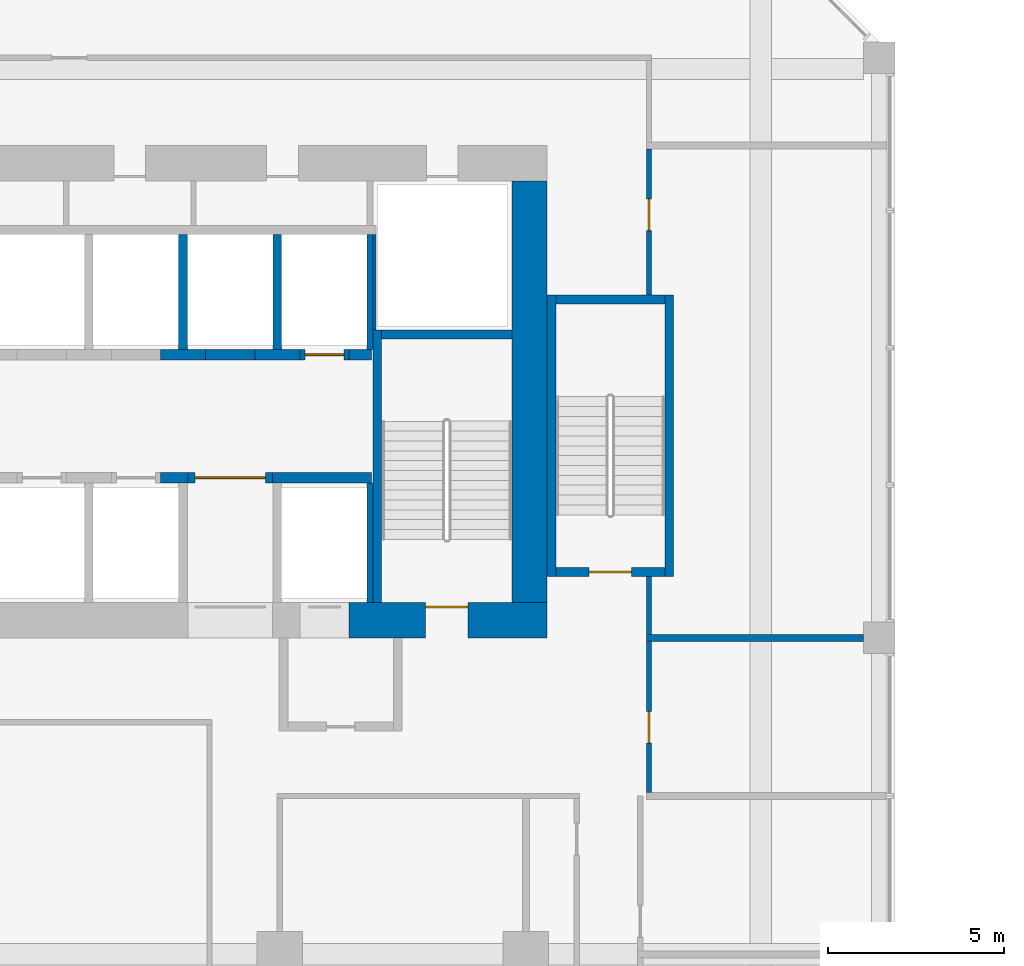
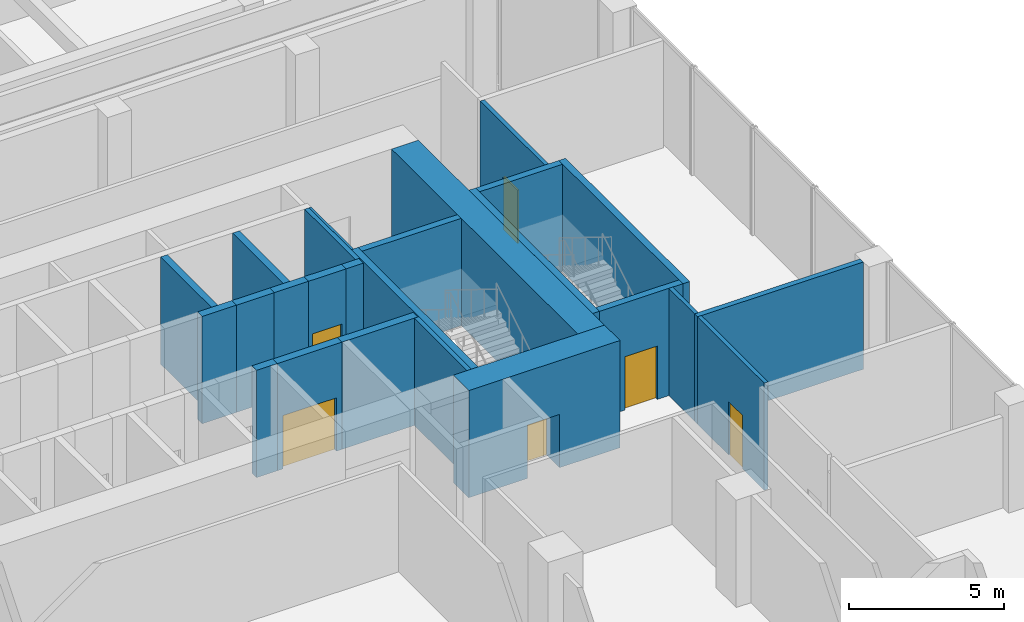
# One storey, part 19 of 35: 25 walls, 6 doors, 6 openings.
"""IFC4 building model written with IfcOpenShell, lengths in metres."""

from ifc_helpers import new_model, si_unit, direction, frame, frame_2d, origin, place, context, subcontext, project, spatial, rectangle, extrude, source, transform, mapped, material, layer, layer_set, type_object, element, fill, save


model = new_model("IFC4")

# Units and contexts
model_context = context("Model", 3, precision=1e-05, world=origin(), true_north=direction((0.0, 1.0)))
body_context = subcontext(model_context, "Body", "Model", "MODEL_VIEW")
ifc_project = project(units=[si_unit("LENGTHUNIT", "METRE"), si_unit("AREAUNIT", "SQUARE_METRE"), si_unit("VOLUMEUNIT", "CUBIC_METRE"), si_unit("PLANEANGLEUNIT", "RADIAN"), si_unit("MASSUNIT", "GRAM", prefix="KILO")], contexts=[model_context])

# Site, building, storey
site_placement = place(None, origin())
site = spatial("IfcSite", under=ifc_project, at=site_placement, CompositionType="ELEMENT")
building_placement = place(site_placement, origin())
building = spatial("IfcBuilding", under=site, at=building_placement, Name="Kilnfold Tower and Market Hall", CompositionType="ELEMENT")
storey_placement = place(building_placement, frame((0.0, 0.0, 22.5)))
storey = spatial("IfcBuildingStorey", under=building, at=storey_placement, Name="L04", CompositionType="ELEMENT", Elevation=22.5)

# Wall, opening, door
ifc_material_1 = material(Name="Gypsum board on steel studs", Category="steel")
ifc_layer_1 = layer(ifc_material_1, 0.14990234375)
ifc_layer_set_1 = layer_set([ifc_layer_1], Name="Gypsum board on steel studs")
wall_type_1 = type_object("IfcWallType", Name="WALL CORRIDOR 150", PredefinedType="PARTITIONING", material=ifc_layer_set_1)
wall_1_placement = place(storey_placement, frame((21.0, 3.60009765625, 0.0), z_axis=(0.0, 0.0, 1.0), x_axis=(0.0, 1.0, 0.0)))
wall_1 = element("IfcWall", 1, at=wall_1_placement, inside=storey, type_object=wall_type_1, Name="Partition LY05.25", PredefinedType="PARTITIONING", context=body_context, shape_type="SweptSolid", body=[
    extrude(rectangle(XDim=4.309814453125, YDim=0.14990234375, at=frame_2d((2.15478515625, 0.0))), origin(), (0.0, 0.0, 1.0), 4.219970703125),
])
opening_1_placement = place(wall_1_placement, frame((1.404052734375, 0.0, 0.0)))
opening_1 = element("IfcOpeningElement", 2, at=opening_1_placement, cuts=wall_1, Name="Opening D3", PredefinedType="OPENING", context=body_context, shape_type="SweptSolid", body=[
    extrude(rectangle(XDim=0.89990234375, YDim=2.10009765625, at=frame_2d((0.449951171875, 1.050048828125))), frame((0.0, 0.0849609375, 0.0), z_axis=(0.0, -1.0, 0.0), x_axis=(1.0, 0.0, 0.0)), (0.0, 0.0, 1.0), 0.169921875),
])
ifc_material_2 = material(Name="Timber veneer door leaf in steel frame", Category="steel")
door_type_1 = type_object("IfcDoorType", Name="DOOR WC 900 X2100", OperationType="NOTDEFINED", PredefinedType="DOOR", material=ifc_material_2)
door_1_placement = place(opening_1_placement, origin())
door_1 = element("IfcDoor", 3, at=door_1_placement, inside=storey, type_object=door_type_1, Name="Door D3", OperationType="SINGLE_SWING_LEFT", OverallHeight=2.10009765625, OverallWidth=0.89990234375, PredefinedType="DOOR", context=body_context, shape_type="SweptSolid", body=[
    extrude(rectangle(XDim=0.89990234375, YDim=2.10009765625, at=frame_2d((0.449951171875, 1.050048828125))), frame((0.0, 0.02490234375, 0.0), z_axis=(0.0, -1.0, 0.0), x_axis=(1.0, 0.0, 0.0)), (0.0, 0.0, 1.0), 0.050048828125),
])
fill(opening_1, door_1)

wall_2_placement = place(storey_placement, frame((21.0, 17.75, 0.0), z_axis=(0.0, 0.0, 1.0), x_axis=(0.0, 1.0, 0.0)))
wall_2 = element("IfcWall", 4, at=wall_2_placement, inside=storey, type_object=wall_type_1, Name="Partition LY05.26", PredefinedType="PARTITIONING", context=body_context, shape_type="SweptSolid", body=[
    extrude(rectangle(XDim=4.159912109375, YDim=0.14990234375, at=frame_2d((2.080078125, 0.0))), origin(), (0.0, 0.0, 1.0), 4.219970703125),
])
opening_2_placement = place(wall_2_placement, frame((1.833984375, 0.0, 0.0)))
opening_2 = element("IfcOpeningElement", 5, at=opening_2_placement, cuts=wall_2, Name="Opening D2", PredefinedType="OPENING", context=body_context, shape_type="SweptSolid", body=[
    extrude(rectangle(XDim=0.89990234375, YDim=2.10009765625, at=frame_2d((0.449951171875, 1.050048828125))), frame((0.0, 0.0849609375, 0.0), z_axis=(0.0, -1.0, 0.0), x_axis=(1.0, 0.0, 0.0)), (0.0, 0.0, 1.0), 0.169921875),
])
ifc_material_3 = material(Name="Timber veneer door leaf in steel frame", Category="steel")
door_type_2 = type_object("IfcDoorType", Name="DOOR ROOM 900 X2100", OperationType="NOTDEFINED", PredefinedType="DOOR", material=ifc_material_3)
door_2_placement = place(opening_2_placement, origin())
door_2 = element("IfcDoor", 6, at=door_2_placement, inside=storey, type_object=door_type_2, Name="Door D2", OperationType="SINGLE_SWING_LEFT", OverallHeight=2.10009765625, OverallWidth=0.89990234375, PredefinedType="DOOR", context=body_context, shape_type="SweptSolid", body=[
    extrude(rectangle(XDim=0.89990234375, YDim=2.10009765625, at=frame_2d((0.449951171875, 1.050048828125))), frame((0.0, 0.02490234375, 0.0), z_axis=(0.0, -1.0, 0.0), x_axis=(1.0, 0.0, 0.0)), (0.0, 0.0, 1.0), 0.050048828125),
])
fill(opening_2, door_2)

# Walls
wall_3_placement = place(storey_placement, frame((21.0, 8.090087890625, 0.0), z_axis=(0.0, 0.0, 1.0), x_axis=(0.0, 1.0, 0.0)))
element("IfcWall", 7, at=wall_3_placement, inside=storey, type_object=wall_type_1, Name="Partition LY05.27", PredefinedType="PARTITIONING", context=body_context, shape_type="SweptSolid", body=[
    extrude(rectangle(XDim=1.659912109375, YDim=0.14990234375, at=frame_2d((0.830078125, 0.0))), origin(), (0.0, 0.0, 1.0), 4.219970703125),
])
ifc_material_4 = material(Name="Gypsum board on steel studs", Category="steel")
ifc_layer_2 = layer(ifc_material_4, 0.199951171875)
ifc_layer_set_2 = layer_set([ifc_layer_2], Name="Gypsum board on steel studs")
wall_type_2 = type_object("IfcWallType", Name="WALL PARTY 200", PredefinedType="PARTITIONING", material=ifc_layer_set_2)
wall_4_placement = place(storey_placement, frame((20.926025390625, 8.0, 0.0), z_axis=(0.0, 0.0, 1.0), x_axis=(1.0, 0.0, 0.0)))
element("IfcWall", 8, at=wall_4_placement, inside=storey, type_object=wall_type_2, Name="Partition LY05.56", PredefinedType="PARTITIONING", context=body_context, shape_type="SweptSolid", body=[
    extrude(rectangle(XDim=6.174072265625, YDim=0.199951171875, at=frame_2d((3.0869140625, 0.0))), origin(), (0.0, 0.0, 1.0), 4.219970703125),
])

# Wall, opening, door
ifc_material_5 = material(Name="Concrete C80", Category="concrete")
ifc_layer_3 = layer(ifc_material_5, 1.0)
ifc_layer_set_3 = layer_set([ifc_layer_3], Name="Concrete C80")
wall_type_3 = type_object("IfcWallType", Name="CORE WALL 1000 C80", PredefinedType="SHEAR", material=ifc_layer_set_3)
shared_shape_1 = source(origin(), body_context, "Body", "SweptSolid", [
    extrude(rectangle(XDim=5.630126953125, YDim=1.0, at=frame_2d((2.81494140625, 0.0))), origin(), (0.0, 0.0, 1.0), 4.219970703125),
])
wall_5_placement = place(storey_placement, frame((12.469970703125, 8.5, 0.0), z_axis=(0.0, 0.0, 1.0), x_axis=(1.0, 0.0, 0.0)))
wall_5 = element("IfcWall", 9, at=wall_5_placement, inside=storey, type_object=wall_type_3, Name="Core outer wall south", PredefinedType="SHEAR", context=body_context, shape_type="MappedRepresentation", body=[
    mapped(shared_shape_1, transform((0.0, 0.0, 0.0))),
])
opening_3_placement = place(wall_5_placement, frame((2.179931640625, 0.0, 0.0)))
opening_3 = element("IfcOpeningElement", 10, at=opening_3_placement, cuts=wall_5, Name="Opening SD1", PredefinedType="OPENING", context=body_context, shape_type="SweptSolid", body=[
    extrude(rectangle(XDim=1.199951171875, YDim=2.10009765625, at=frame_2d((0.60009765625, 1.050048828125))), frame((0.0, 0.510009765625, 0.0), z_axis=(0.0, -1.0, 0.0), x_axis=(1.0, 0.0, 0.0)), (0.0, 0.0, 1.0), 1.02001953125),
])
ifc_material_6 = material(Name="Steel door set with fire-resisting leaf", Category="steel")
door_type_3 = type_object("IfcDoorType", Name="STAIR FLOOR DOOR 1200X2100", OperationType="NOTDEFINED", PredefinedType="DOOR", material=ifc_material_6)
door_3_placement = place(opening_3_placement, origin())
door_3 = element("IfcDoor", 11, at=door_3_placement, inside=storey, type_object=door_type_3, Name="Exit stair ST2 door", OperationType="DOUBLE_DOOR_SINGLE_SWING", OverallHeight=2.10009765625, OverallWidth=1.199951171875, PredefinedType="DOOR", context=body_context, shape_type="SweptSolid", body=[
    extrude(rectangle(XDim=1.199951171875, YDim=2.10009765625, at=frame_2d((0.60009765625, 1.050048828125))), frame((0.0, 0.40478515625, 0.0), z_axis=(0.0, -1.0, 0.0), x_axis=(1.0, 0.0, 0.0)), (0.0, 0.0, 1.0), 0.050048828125),
])
fill(opening_3, door_3)

# Walls
shared_shape_2 = source(origin(), body_context, "Body", "SweptSolid", [
    extrude(rectangle(XDim=12.0, YDim=1.0, at=frame_2d((6.0, 0.0))), origin(), (0.0, 0.0, 1.0), 4.219970703125),
])
wall_6_placement = place(storey_placement, frame((17.60009765625, 9.0, 0.0), z_axis=(0.0, 0.0, 1.0), x_axis=(0.0, 1.0, 0.0)))
element("IfcWall", 12, at=wall_6_placement, inside=storey, type_object=wall_type_3, Name="Core outer wall east", PredefinedType="SHEAR", context=body_context, shape_type="MappedRepresentation", body=[
    mapped(shared_shape_2, transform((0.0, 0.0, 0.0))),
])
ifc_material_7 = material(Name="Concrete C80", Category="concrete")
ifc_layer_4 = layer(ifc_material_7, 0.25)
ifc_layer_set_4 = layer_set([ifc_layer_4], Name="Concrete C80")
wall_type_4 = type_object("IfcWallType", Name="CORE WALL 250 C80", PredefinedType="SHEAR", material=ifc_layer_set_4)
shared_shape_3 = source(origin(), body_context, "Body", "SweptSolid", [
    extrude(rectangle(XDim=7.75, YDim=0.25, at=frame_2d((3.875, 0.0))), origin(), (0.0, 0.0, 1.0), 4.219970703125),
])
wall_7_placement = place(storey_placement, frame((13.27490234375, 9.0, 0.0), z_axis=(0.0, 0.0, 1.0), x_axis=(0.0, 1.0, 0.0)))
element("IfcWall", 13, at=wall_7_placement, inside=storey, type_object=wall_type_4, Name="Stair enclosure ST2", PredefinedType="SHEAR", context=body_context, shape_type="MappedRepresentation", body=[
    mapped(shared_shape_3, transform((0.0, 0.0, 0.0))),
])
shared_shape_4 = source(origin(), body_context, "Body", "SweptSolid", [
    extrude(rectangle(XDim=3.7001953125, YDim=0.25, at=frame_2d((1.85009765625, 0.0))), origin(), (0.0, 0.0, 1.0), 4.219970703125),
])
wall_8_placement = place(storey_placement, frame((13.39990234375, 16.625, 0.0), z_axis=(0.0, 0.0, 1.0), x_axis=(1.0, 0.0, 0.0)))
element("IfcWall", 14, at=wall_8_placement, inside=storey, type_object=wall_type_4, Name="Stair enclosure ST2", PredefinedType="SHEAR", context=body_context, shape_type="MappedRepresentation", body=[
    mapped(shared_shape_4, transform((0.0, 0.0, 0.0))),
])
shared_shape_5 = source(origin(), body_context, "Body", "SweptSolid", [
    extrude(rectangle(XDim=8.0, YDim=0.25, at=frame_2d((4.0, 0.0))), origin(), (0.0, 0.0, 1.0), 4.219970703125),
])
for number, where, z_axis, x_axis, name in (
    (15, (18.22509765625, 9.75, 0.0), (0.0, 0.0, 1.0), (0.0, 1.0, 0.0), "Stair enclosure ST5"),
    (16, (21.574951171875, 9.75, 0.0), (0.0, 0.0, 1.0), (0.0, 1.0, 0.0), "Stair enclosure ST5"),
):
    element("IfcWall", number, at=place(storey_placement, frame(where, z_axis=z_axis, x_axis=x_axis)), inside=storey, type_object=wall_type_4, Name=name, PredefinedType="SHEAR", context=body_context, shape_type="MappedRepresentation", body=[
        mapped(shared_shape_5, transform((0.0, 0.0, 0.0))),
    ])

# Wall, opening, door
shared_shape_6 = source(origin(), body_context, "Body", "SweptSolid", [
    extrude(rectangle(XDim=3.099853515625, YDim=0.25, at=frame_2d((1.5498046875, 0.0))), origin(), (0.0, 0.0, 1.0), 4.219970703125),
])
wall_9_placement = place(storey_placement, frame((18.35009765625, 9.875, 0.0), z_axis=(0.0, 0.0, 1.0), x_axis=(1.0, 0.0, 0.0)))
wall_9 = element("IfcWall", 17, at=wall_9_placement, inside=storey, type_object=wall_type_4, Name="Stair enclosure ST5", PredefinedType="SHEAR", context=body_context, shape_type="MappedRepresentation", body=[
    mapped(shared_shape_6, transform((0.0, 0.0, 0.0))),
])
opening_4_placement = place(wall_9_placement, frame((0.949951171875, 0.0, 0.0)))
opening_4 = element("IfcOpeningElement", 18, at=opening_4_placement, cuts=wall_9, Name="Opening SD1", PredefinedType="OPENING", context=body_context, shape_type="SweptSolid", body=[
    extrude(rectangle(XDim=1.199951171875, YDim=2.10009765625, at=frame_2d((0.60009765625, 1.050048828125))), frame((0.0, 0.135009765625, 0.0), z_axis=(0.0, -1.0, 0.0), x_axis=(1.0, 0.0, 0.0)), (0.0, 0.0, 1.0), 0.27001953125),
])
door_4_placement = place(opening_4_placement, origin())
door_4 = element("IfcDoor", 19, at=door_4_placement, inside=storey, type_object=door_type_3, Name="Exit stair ST5 door", OperationType="DOUBLE_DOOR_SINGLE_SWING", OverallHeight=2.10009765625, OverallWidth=1.199951171875, PredefinedType="DOOR", context=body_context, shape_type="SweptSolid", body=[
    extrude(rectangle(XDim=1.199951171875, YDim=2.10009765625, at=frame_2d((0.60009765625, 1.050048828125))), frame((0.0, 0.02490234375, 0.0), z_axis=(0.0, -1.0, 0.0), x_axis=(1.0, 0.0, 0.0)), (0.0, 0.0, 1.0), 0.050048828125),
])
fill(opening_4, door_4)

# Walls
wall_10_placement = place(storey_placement, frame((18.35009765625, 17.625, 0.0), z_axis=(0.0, 0.0, 1.0), x_axis=(1.0, 0.0, 0.0)))
element("IfcWall", 20, at=wall_10_placement, inside=storey, type_object=wall_type_4, Name="Stair enclosure ST5", PredefinedType="SHEAR", context=body_context, shape_type="MappedRepresentation", body=[
    mapped(shared_shape_6, transform((0.0, 0.0, 0.0))),
])
ifc_material_8 = material(Name="Concrete C80", Category="concrete")
ifc_layer_5 = layer(ifc_material_8, 0.300048828125)
ifc_layer_set_5 = layer_set([ifc_layer_5], Name="Concrete C80")
wall_type_5 = type_object("IfcWallType", Name="CORE WALL 300 C80", PredefinedType="SHEAR", material=ifc_layer_set_5)
shared_shape_7 = source(origin(), body_context, "Body", "SweptSolid", [
    extrude(rectangle(XDim=1.280029296875, YDim=0.300048828125, at=frame_2d((0.64013671875, 0.0))), origin(), (0.0, 0.0, 1.0), 4.219970703125),
])
wall_11_placement = place(storey_placement, frame((9.7900390625, 16.050048828125, 0.0), z_axis=(0.0, 0.0, 1.0), x_axis=(1.0, 0.0, 0.0)))
element("IfcWall", 21, at=wall_11_placement, inside=storey, type_object=wall_type_5, Name="Core spine wall", PredefinedType="SHEAR", context=body_context, shape_type="MappedRepresentation", body=[
    mapped(shared_shape_7, transform((0.0, 0.0, 0.0))),
])
shared_shape_8 = source(origin(), body_context, "Body", "SweptSolid", [
    extrude(rectangle(XDim=0.77978515625, YDim=0.300048828125, at=frame_2d((0.389892578125, 0.0))), origin(), (0.0, 0.0, 1.0), 4.219970703125),
])
wall_12_placement = place(storey_placement, frame((7.110107421875, 12.550048828125, 0.0), z_axis=(0.0, 0.0, 1.0), x_axis=(1.0, 0.0, 0.0)))
element("IfcWall", 22, at=wall_12_placement, inside=storey, type_object=wall_type_5, Name="Core spine wall", PredefinedType="SHEAR", context=body_context, shape_type="MappedRepresentation", body=[
    mapped(shared_shape_8, transform((0.0, 0.0, 0.0))),
])
shared_shape_9 = source(origin(), body_context, "Body", "SweptSolid", [
    extrude(rectangle(XDim=2.820068359375, YDim=0.300048828125, at=frame_2d((1.41015625, 0.0))), origin(), (0.0, 0.0, 1.0), 4.219970703125),
])
wall_13_placement = place(storey_placement, frame((10.2900390625, 12.550048828125, 0.0), z_axis=(0.0, 0.0, 1.0), x_axis=(1.0, 0.0, 0.0)))
element("IfcWall", 23, at=wall_13_placement, inside=storey, type_object=wall_type_5, Name="Core spine wall", PredefinedType="SHEAR", context=body_context, shape_type="MappedRepresentation", body=[
    mapped(shared_shape_9, transform((0.0, 0.0, 0.0))),
])
shared_shape_10 = source(origin(), body_context, "Body", "SweptSolid", [
    extrude(rectangle(XDim=1.27978515625, YDim=0.300048828125, at=frame_2d((0.639892578125, 0.0))), origin(), (0.0, 0.0, 1.0), 4.219970703125),
])
wall_14_placement = place(storey_placement, frame((7.110107421875, 16.050048828125, 0.0), z_axis=(0.0, 0.0, 1.0), x_axis=(1.0, 0.0, 0.0)))
element("IfcWall", 24, at=wall_14_placement, inside=storey, type_object=wall_type_5, Name="Core spine wall", PredefinedType="SHEAR", context=body_context, shape_type="MappedRepresentation", body=[
    mapped(shared_shape_10, transform((0.0, 0.0, 0.0))),
])
shared_shape_11 = source(origin(), body_context, "Body", "SweptSolid", [
    extrude(rectangle(XDim=0.64013671875, YDim=0.300048828125, at=frame_2d((0.320068359375, 0.0))), origin(), (0.0, 0.0, 1.0), 4.219970703125),
])
wall_15_placement = place(storey_placement, frame((12.469970703125, 16.050048828125, 0.0), z_axis=(0.0, 0.0, 1.0), x_axis=(1.0, 0.0, 0.0)))
element("IfcWall", 25, at=wall_15_placement, inside=storey, type_object=wall_type_5, Name="Core spine wall", PredefinedType="SHEAR", context=body_context, shape_type="MappedRepresentation", body=[
    mapped(shared_shape_11, transform((0.0, 0.0, 0.0))),
])

# Wall, opening, door
ifc_material_9 = material(Name="Gypsum shaft wall system")
ifc_layer_6 = layer(ifc_material_9, 0.300048828125)
ifc_layer_set_6 = layer_set([ifc_layer_6], Name="Gypsum shaft wall system")
wall_type_6 = type_object("IfcWallType", Name="SHAFT WALL 300", PredefinedType="PARTITIONING", material=ifc_layer_set_6)
shared_shape_12 = source(origin(), body_context, "Body", "SweptSolid", [
    extrude(rectangle(XDim=1.39990234375, YDim=0.300048828125, at=frame_2d((0.699951171875, 0.0))), origin(), (0.0, 0.0, 1.0), 4.219970703125),
])
wall_16_placement = place(storey_placement, frame((11.070068359375, 16.050048828125, 0.0), z_axis=(0.0, 0.0, 1.0), x_axis=(1.0, 0.0, 0.0)))
wall_16 = element("IfcWall", 26, at=wall_16_placement, inside=storey, type_object=wall_type_6, Name="Lift shaft front wall", PredefinedType="PARTITIONING", context=body_context, shape_type="MappedRepresentation", body=[
    mapped(shared_shape_12, transform((0.0, 0.0, 0.0))),
])
opening_5_placement = place(wall_16_placement, frame((0.14990234375, 0.0, 0.0)))
opening_5 = element("IfcOpeningElement", 27, at=opening_5_placement, cuts=wall_16, Name="Opening LD2", PredefinedType="OPENING", context=body_context, shape_type="SweptSolid", body=[
    extrude(rectangle(XDim=1.10009765625, YDim=2.10009765625, at=frame_2d((0.550048828125, 1.050048828125))), frame((0.0, 0.16015625, 0.0), z_axis=(0.0, -1.0, 0.0), x_axis=(1.0, 0.0, 0.0)), (0.0, 0.0, 1.0), 0.320068359375),
])
ifc_material_10 = material(Name="Steel door set with fire-resisting leaf", Category="steel")
door_type_4 = type_object("IfcDoorType", Name="LANDING DOOR 1100X2100", OperationType="NOTDEFINED", PredefinedType="DOOR", material=ifc_material_10)
door_5_placement = place(opening_5_placement, origin())
door_5 = element("IfcDoor", 28, at=door_5_placement, inside=storey, type_object=door_type_4, Name="Landing door LR6", OperationType="DOUBLE_DOOR_SLIDING", OverallHeight=2.10009765625, OverallWidth=1.10009765625, PredefinedType="DOOR", context=body_context, shape_type="SweptSolid", body=[
    extrude(rectangle(XDim=1.10009765625, YDim=2.10009765625, at=frame_2d((0.550048828125, 1.050048828125))), frame((0.0, 0.02490234375, 0.0), z_axis=(0.0, -1.0, 0.0), x_axis=(1.0, 0.0, 0.0)), (0.0, 0.0, 1.0), 0.050048828125),
])
fill(opening_5, door_5)

# Wall
shared_shape_13 = source(origin(), body_context, "Body", "SweptSolid", [
    extrude(rectangle(XDim=1.400146484375, YDim=0.300048828125, at=frame_2d((0.7001953125, 0.0))), origin(), (0.0, 0.0, 1.0), 4.219970703125),
])
wall_17_placement = place(storey_placement, frame((8.389892578125, 16.050048828125, 0.0), z_axis=(0.0, 0.0, 1.0), x_axis=(1.0, 0.0, 0.0)))
element("IfcWall", 29, at=wall_17_placement, inside=storey, type_object=wall_type_6, Name="Lift shaft front wall", PredefinedType="PARTITIONING", context=body_context, shape_type="MappedRepresentation", body=[
    mapped(shared_shape_13, transform((0.0, 0.0, 0.0))),
])

# Wall, opening, door
shared_shape_14 = source(origin(), body_context, "Body", "SweptSolid", [
    extrude(rectangle(XDim=2.400146484375, YDim=0.300048828125, at=frame_2d((1.2001953125, 0.0))), origin(), (0.0, 0.0, 1.0), 4.219970703125),
])
wall_18_placement = place(storey_placement, frame((7.889892578125, 12.550048828125, 0.0), z_axis=(0.0, 0.0, 1.0), x_axis=(1.0, 0.0, 0.0)))
wall_18 = element("IfcWall", 30, at=wall_18_placement, inside=storey, type_object=wall_type_6, Name="Lift shaft front wall", PredefinedType="PARTITIONING", context=body_context, shape_type="MappedRepresentation", body=[
    mapped(shared_shape_14, transform((0.0, 0.0, 0.0))),
])
opening_6_placement = place(wall_18_placement, frame((0.199951171875, 0.0, 0.0)))
opening_6 = element("IfcOpeningElement", 31, at=opening_6_placement, cuts=wall_18, Name="Opening VD2", PredefinedType="OPENING", context=body_context, shape_type="SweptSolid", body=[
    extrude(rectangle(XDim=2.0, YDim=2.10009765625, at=frame_2d((1.0, 1.050048828125))), frame((0.0, 0.16015625, 0.0), z_axis=(0.0, -1.0, 0.0), x_axis=(1.0, 0.0, 0.0)), (0.0, 0.0, 1.0), 0.320068359375),
])
ifc_material_11 = material(Name="Steel door set with fire-resisting leaf", Category="steel")
door_type_5 = type_object("IfcDoorType", Name="LIFT LOBBY ENTRANCE DOOR 2000X2100", OperationType="NOTDEFINED", PredefinedType="DOOR", material=ifc_material_11)
door_6_placement = place(opening_6_placement, origin())
door_6 = element("IfcDoor", 32, at=door_6_placement, inside=storey, type_object=door_type_5, Name="Lift lobby entrance door", OperationType="DOUBLE_DOOR_SINGLE_SWING", OverallHeight=2.10009765625, OverallWidth=2.0, PredefinedType="DOOR", context=body_context, shape_type="SweptSolid", body=[
    extrude(rectangle(XDim=2.0, YDim=2.10009765625, at=frame_2d((1.0, 1.050048828125))), frame((0.0, 0.02490234375, 0.0), z_axis=(0.0, -1.0, 0.0), x_axis=(1.0, 0.0, 0.0)), (0.0, 0.0, 1.0), 0.050048828125),
])
fill(opening_6, door_6)

# Walls
ifc_material_12 = material(Name="Gypsum shaft wall system")
ifc_layer_7 = layer(ifc_material_12, 0.1650390625)
ifc_layer_set_7 = layer_set([ifc_layer_7], Name="Gypsum shaft wall system")
wall_type_7 = type_object("IfcWallType", Name="SHAFT WALL 165", PredefinedType="PARTITIONING", material=ifc_layer_set_7)
shared_shape_15 = source(origin(), body_context, "Body", "SweptSolid", [
    extrude(rectangle(XDim=3.275146484375, YDim=0.1650390625, at=frame_2d((1.6376953125, 0.0))), origin(), (0.0, 0.0, 1.0), 4.219970703125),
])
wall_19_placement = place(storey_placement, frame((13.0673828125, 16.199951171875, 0.0), z_axis=(0.0, 0.0, 1.0), x_axis=(0.0, 1.0, 0.0)))
element("IfcWall", 33, at=wall_19_placement, inside=storey, type_object=wall_type_7, Name="Lift shaft wall", PredefinedType="PARTITIONING", context=body_context, shape_type="MappedRepresentation", body=[
    mapped(shared_shape_15, transform((0.0, 0.0, 0.0))),
])
ifc_material_13 = material(Name="Gypsum shaft wall system")
ifc_layer_8 = layer(ifc_material_13, 0.25)
ifc_layer_set_8 = layer_set([ifc_layer_8], Name="Gypsum shaft wall system")
wall_type_8 = type_object("IfcWallType", Name="SHAFT WALL 250", PredefinedType="PARTITIONING", material=ifc_layer_set_8)
shared_shape_16 = source(origin(), body_context, "Body", "SweptSolid", [
    extrude(rectangle(XDim=3.275146484375, YDim=0.25, at=frame_2d((1.6376953125, 0.0))), origin(), (0.0, 0.0, 1.0), 4.219970703125),
])
for number, where, z_axis, x_axis, name in (
    (34, (10.429931640625, 16.199951171875, 0.0), (0.0, 0.0, 1.0), (0.0, 1.0, 0.0), "Lift shaft wall"),
    (35, (7.75, 16.199951171875, 0.0), (0.0, 0.0, 1.0), (0.0, 1.0, 0.0), "Lift shaft wall"),
):
    element("IfcWall", number, at=place(storey_placement, frame(where, z_axis=z_axis, x_axis=x_axis)), inside=storey, type_object=wall_type_8, Name=name, PredefinedType="PARTITIONING", context=body_context, shape_type="MappedRepresentation", body=[
        mapped(shared_shape_16, transform((0.0, 0.0, 0.0))),
    ])
ifc_material_14 = material(Name="Gypsum shaft wall system")
ifc_layer_9 = layer(ifc_material_14, 0.0849609375)
ifc_layer_set_9 = layer_set([ifc_layer_9], Name="Gypsum shaft wall system")
wall_type_9 = type_object("IfcWallType", Name="SHAFT WALL 85", PredefinedType="PARTITIONING", material=ifc_layer_set_9)
shared_shape_17 = source(origin(), body_context, "Body", "SweptSolid", [
    extrude(rectangle(XDim=2.72509765625, YDim=0.0849609375, at=frame_2d((1.362548828125, 0.0))), origin(), (0.0, 0.0, 1.0), 4.219970703125),
])
wall_20_placement = place(storey_placement, frame((13.1923828125, 16.75, 0.0), z_axis=(0.0, 0.0, 1.0), x_axis=(0.0, 1.0, 0.0)))
element("IfcWall", 36, at=wall_20_placement, inside=storey, type_object=wall_type_9, Name="Lift shaft wall", PredefinedType="PARTITIONING", context=body_context, shape_type="MappedRepresentation", body=[
    mapped(shared_shape_17, transform((0.0, 0.0, 0.0))),
])
shared_shape_18 = source(origin(), body_context, "Body", "SweptSolid", [
    extrude(rectangle(XDim=3.39990234375, YDim=0.1650390625, at=frame_2d((1.699951171875, 0.0))), origin(), (0.0, 0.0, 1.0), 4.219970703125),
])
wall_21_placement = place(storey_placement, frame((13.0673828125, 9.0, 0.0), z_axis=(0.0, 0.0, 1.0), x_axis=(0.0, 1.0, 0.0)))
element("IfcWall", 37, at=wall_21_placement, inside=storey, type_object=wall_type_7, Name="Lift shaft wall", PredefinedType="PARTITIONING", context=body_context, shape_type="MappedRepresentation", body=[
    mapped(shared_shape_18, transform((0.0, 0.0, 0.0))),
])

save(model, "model.ifc")
